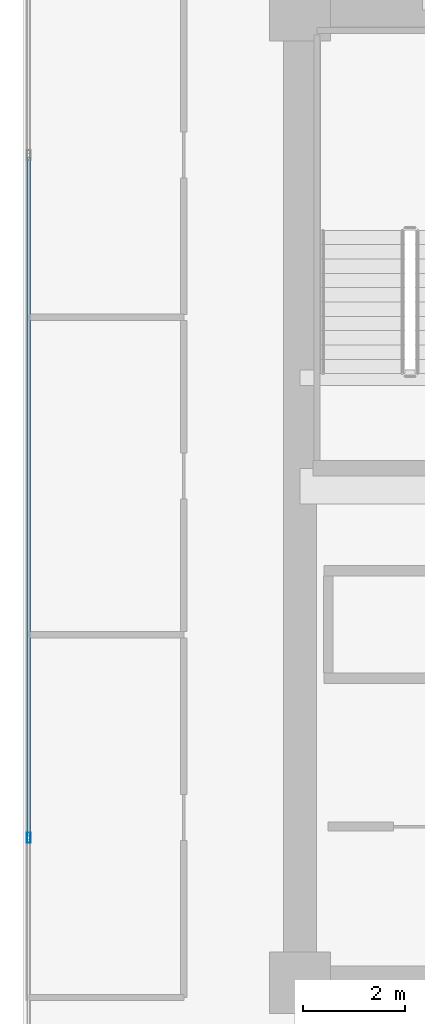
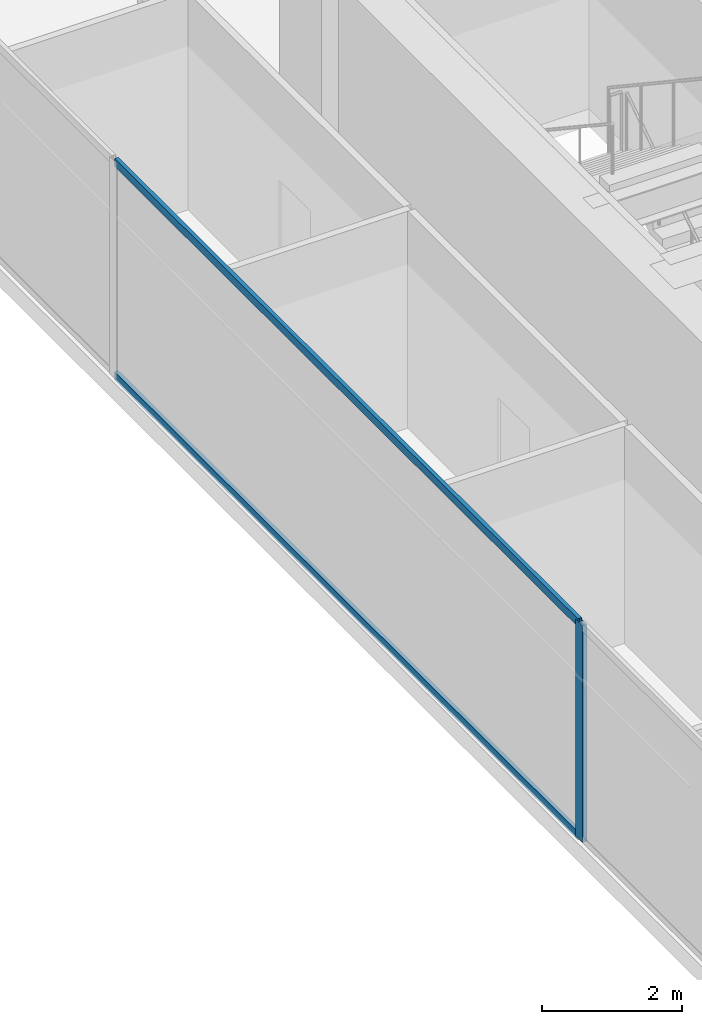
# One storey, part 6 of 34: 3 members, 1 element without a shape of its own.
"""IFC4 building model written with IfcOpenShell, lengths in metres."""

from ifc_helpers import new_model, si_unit, direction, frame, origin, origin_2d, place, context, subcontext, project, spatial, hollow_rectangle, extrude, source, transform, mapped, material, layer, layer_set, material_profile, profile_set, type_object, type_shapes, element, aggregate, save


model = new_model("IFC4")

# Units and contexts
model_context = context("Model", 3, precision=1e-05, world=origin(), true_north=direction((0.0, 1.0)))
body_context = subcontext(model_context, "Body", "Model", "MODEL_VIEW")
ifc_project = project(units=[si_unit("LENGTHUNIT", "METRE"), si_unit("AREAUNIT", "SQUARE_METRE"), si_unit("VOLUMEUNIT", "CUBIC_METRE"), si_unit("PLANEANGLEUNIT", "RADIAN"), si_unit("MASSUNIT", "GRAM", prefix="KILO")], contexts=[model_context])

# Site, building, storey
site_placement = place(None, origin())
site = spatial("IfcSite", under=ifc_project, at=site_placement, CompositionType="ELEMENT")
building_placement = place(site_placement, origin())
building = spatial("IfcBuilding", under=site, at=building_placement, Name="Haelvirn Gate Laboratories", CompositionType="ELEMENT")
storey_placement = place(building_placement, frame((0.0, 0.0, 158.39990234375)))
storey = spatial("IfcBuildingStorey", under=building, at=storey_placement, Name="L38", CompositionType="ELEMENT", Elevation=158.39990234375)

# Curtain wall, members
ifc_material_1 = material(Name="Anodised bronze unitised aluminium & triple low-E glass", Category="aluminium")
ifc_layer = layer(ifc_material_1, 0.179931640625, Name="CW-SYS-3")
ifc_layer_set = layer_set([ifc_layer], Name="Anodised bronze unitised aluminium & triple low-E glass")
curtain_wall_type = type_object("IfcCurtainWallType", Name="CW-SYS-3", PredefinedType="NOTDEFINED", material=ifc_layer_set)
curtain_wall_placement = place(storey_placement, origin())
curtain_wall = element("IfcCurtainWall", 1, at=curtain_wall_placement, inside=storey, type_object=curtain_wall_type, Name="L38 Unitised Curtain Wall CW-L38-P0-E17", PredefinedType="NOTDEFINED")
ifc_material_2 = material(Name="Extruded aluminium 6063-T6 (anodised bronze)", Category="aluminium")
ifc_material_profile_1 = material_profile(ifc_material_2, hollow_rectangle(XDim=0.06494140625, YDim=0.139892578125, WallThickness=0.00390625, at=origin_2d()), Name="CWT-140x65x4")
ifc_profile_set_1 = profile_set([ifc_material_profile_1], Name="Extruded aluminium 6063-T6 (anodised bronze)")
member_type_1 = type_object("IfcMemberType", Name="CWT-T140", PredefinedType="USERDEFINED", material=ifc_profile_set_1)
shared_shape_1 = source(origin(), body_context, "Body", "SweptSolid", [
    extrude(hollow_rectangle(XDim=0.06494140625, YDim=0.139892578125, WallThickness=0.00390625, at=origin_2d()), origin(), (0.0, 0.0, 1.0), 13.25830078125),
])
type_shapes(member_type_1, [shared_shape_1])
member_1_placement = place(storey_placement, frame((2.10009765625, 30.92919921875, 0.03271484375), z_axis=(0.0, -1.0, 0.0), x_axis=(1.0, 0.0, 0.0)))
member_1 = element("IfcMember", 2, at=member_1_placement, type_object=member_type_1, Name="CW3 transom 2.1", ObjectType="TRANSOM", PredefinedType="USERDEFINED", context=body_context, shape_type="MappedRepresentation", body=[
    mapped(shared_shape_1, transform((0.0, 0.0, 0.0), scale=1.0)),
])
member_2_placement = place(storey_placement, frame((2.10009765625, 30.92919921875, 3.757568359375), z_axis=(0.0, -1.0, 0.0), x_axis=(1.0, 0.0, 0.0)))
member_2 = element("IfcMember", 3, at=member_2_placement, type_object=member_type_1, Name="CW3 transom 2.2", ObjectType="TRANSOM", PredefinedType="USERDEFINED", context=body_context, shape_type="MappedRepresentation", body=[
    mapped(shared_shape_1, transform((0.0, 0.0, 0.0), scale=1.0)),
])
ifc_material_profile_2 = material_profile(ifc_material_2, hollow_rectangle(XDim=0.074951171875, YDim=0.199951171875, WallThickness=0.0048828125, at=origin_2d()), Name="CWM-200x75x5")
ifc_profile_set_2 = profile_set([ifc_material_profile_2], Name="Extruded aluminium 6063-T6 (anodised bronze)")
member_type_2 = type_object("IfcMemberType", Name="CWM-T200", PredefinedType="MULLION", material=ifc_profile_set_2)
shared_shape_2 = source(origin(), body_context, "Body", "SweptSolid", [
    extrude(hollow_rectangle(XDim=0.074951171875, YDim=0.199951171875, WallThickness=0.0048828125, at=origin_2d()), origin(), (0.0, 0.0, 1.0), 3.7900390625),
])
type_shapes(member_type_2, [shared_shape_2])
member_3_placement = place(storey_placement, frame((2.10009765625, 17.63330078125, 0.0), z_axis=(0.0, 0.0, 1.0), x_axis=(1.0, 0.0, 0.0)))
member_3 = element("IfcMember", 4, at=member_3_placement, type_object=member_type_2, Name="CW3 mullion 3", PredefinedType="MULLION", context=body_context, shape_type="MappedRepresentation", body=[
    mapped(shared_shape_2, transform((0.0, 0.0, 0.0), scale=1.0)),
])
aggregate(curtain_wall, [member_3, member_1, member_2])

save(model, "model.ifc")
